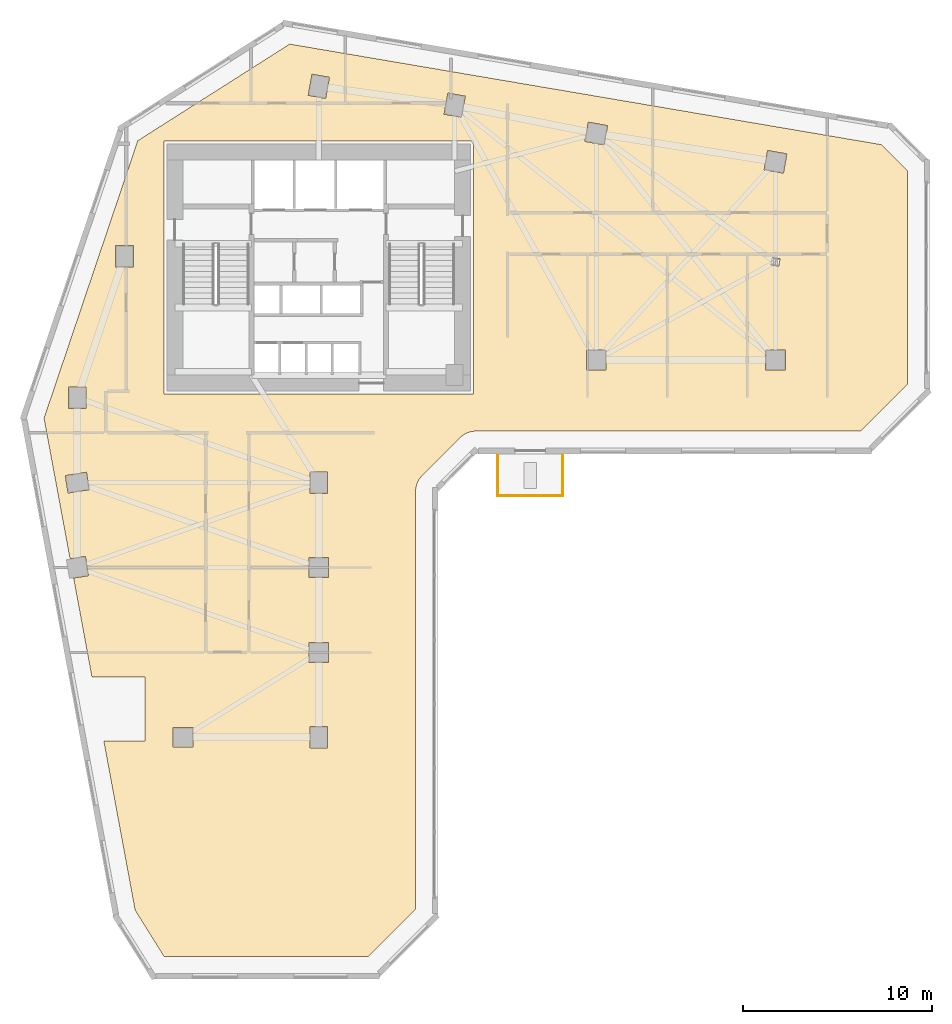
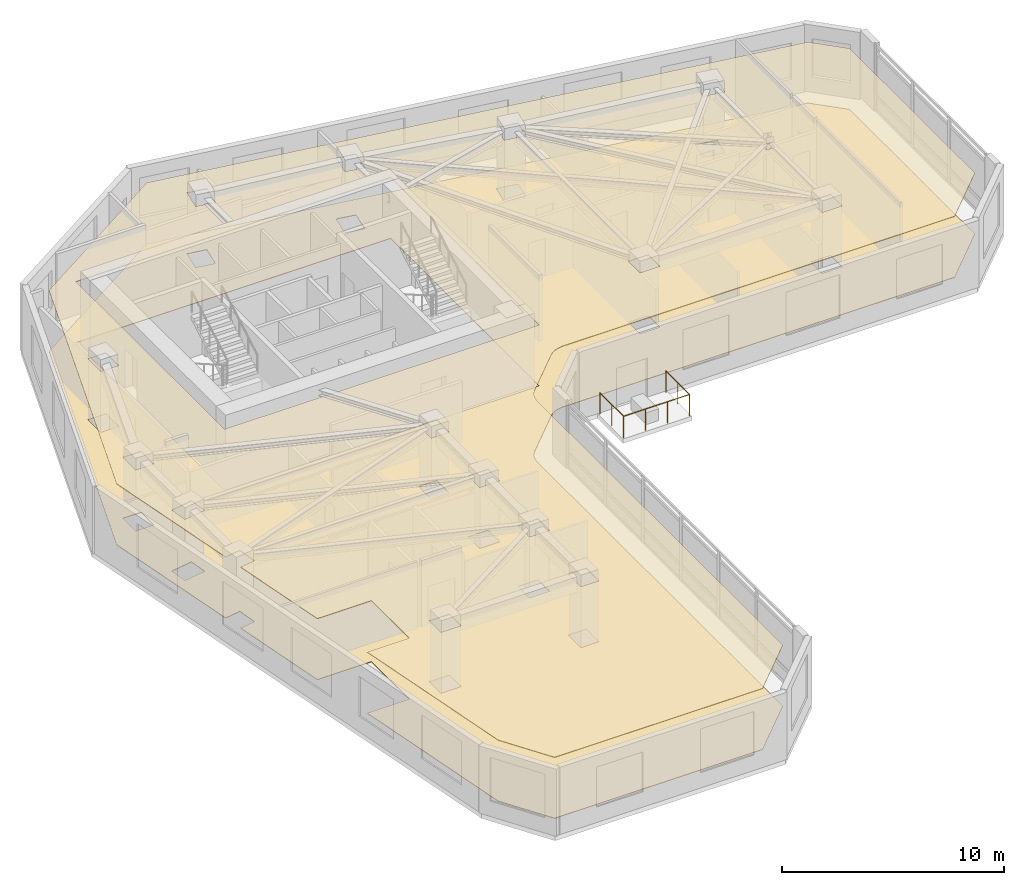
# One storey, part 9 of 10: 3 railings, 2 coverings.
"""IFC4 building model written with IfcOpenShell, lengths in metres."""

from ifc_helpers import new_model, si_unit, direction, frame, origin, origin_2d, place, context, subcontext, project, spatial, polyline, circle, outline, extrude, material, layer, layer_set, type_object, element, save


model = new_model("IFC4")

# Units and contexts
model_context = context("Model", 3, precision=1e-05, world=origin(), true_north=direction((0.0, 1.0)))
body_context = subcontext(model_context, "Body", "Model", "MODEL_VIEW")
ifc_project = project(units=[si_unit("LENGTHUNIT", "METRE"), si_unit("AREAUNIT", "SQUARE_METRE"), si_unit("VOLUMEUNIT", "CUBIC_METRE"), si_unit("PLANEANGLEUNIT", "RADIAN"), si_unit("MASSUNIT", "GRAM", prefix="KILO")], contexts=[model_context])

# Site, building, storey
site_placement = place(None, origin())
site = spatial("IfcSite", under=ifc_project, at=site_placement, CompositionType="ELEMENT")
building_placement = place(site_placement, origin())
building = spatial("IfcBuilding", under=site, at=building_placement, Name="Calvemar Wedge Station Tower", CompositionType="ELEMENT")
storey_placement = place(building_placement, frame((0.0, 0.0, 95.0)))
storey = spatial("IfcBuildingStorey", under=building, at=storey_placement, Name="L23", CompositionType="ELEMENT", Elevation=95.0)

# Coverings
ifc_material_1 = material(Name="Acoustic mineral fibre ceiling board")
ifc_layer_1 = layer(ifc_material_1, 0.0400390625)
ifc_layer_set_1 = layer_set([ifc_layer_1], Name="Acoustic mineral fibre ceiling board")
covering_type_1 = type_object("IfcCoveringType", Name="COV-CEIL-ACOUSTIC", PredefinedType="CEILING", material=ifc_layer_set_1)
covering_1_placement = place(storey_placement, frame((0.0, 0.0, 3.35009765625)))
element("IfcCovering", 1, at=covering_1_placement, inside=storey, type_object=covering_type_1, Name="Storey L23 Acoustic Suspended Ceiling", PredefinedType="CEILING", context=body_context, shape_type="SweptSolid", body=[
    extrude(outline(polyline([(29.279541015625, 28.87646484375), (31.279541015625, 30.87646484375), (31.36669921875, 30.95556640625), (31.461181640625, 31.02587890625), (31.562255859375, 31.086181640625), (31.668701171875, 31.13671875), (31.77978515625, 31.17626953125), (31.893798828125, 31.204833984375), (32.010498046875, 31.22216796875), (32.1279296875, 31.22802734375), (52.5029296875, 31.22802734375), (55.0, 33.72509765625), (55.0, 45.031005859375), (53.621826171875, 46.408935546875), (22.25439453125, 51.739501953125), (14.201416015625, 46.614990234375), (9.23681640625, 31.911865234375), (10.6162109375, 24.465087890625), (11.43115234375, 24.595703125), (11.595703125, 23.56884765625), (10.805908203125, 23.4423828125), (11.777099609375, 18.199951171875), (14.60009765625, 18.199951171875), (14.60009765625, 14.800048828125), (12.406982421875, 14.800048828125), (14.06640625, 5.8427734375), (15.593017578125, 3.39990234375), (26.430908203125, 3.39990234375), (28.927978515625, 5.897216796875), (28.927978515625, 28.028076171875), (28.933837890625, 28.1455078125), (28.951171875, 28.26220703125), (28.979736328125, 28.376220703125), (29.019287109375, 28.4873046875), (29.069580078125, 28.59375), (29.130126953125, 28.694580078125), (29.200439453125, 28.789306640625), (29.279541015625, 28.87646484375)]), holes=[polyline([(15.60009765625, 46.60009765625), (32.0, 46.60009765625), (32.0, 33.199951171875), (15.60009765625, 33.199951171875), (15.60009765625, 46.60009765625)]), polyline([(10.530029296875, 32.429931640625), (10.530029296875, 33.570068359375), (11.469970703125, 33.570068359375), (11.469970703125, 32.429931640625), (10.530029296875, 32.429931640625)]), polyline([(13.030029296875, 41.070068359375), (13.969970703125, 41.070068359375), (13.969970703125, 39.929931640625), (13.030029296875, 39.929931640625), (13.030029296875, 41.070068359375)]), polyline([(24.363525390625, 49.977783203125), (24.16162109375, 48.855712890625), (23.236572265625, 49.022216796875), (23.4384765625, 50.144287109375), (24.363525390625, 49.977783203125)]), polyline([(31.361572265625, 47.855712890625), (30.4365234375, 48.022216796875), (30.638427734375, 49.144287109375), (31.5634765625, 48.977783203125), (31.361572265625, 47.855712890625)]), polyline([(37.89599609375, 46.580322265625), (38.080322265625, 47.60400390625), (39.10400390625, 47.419677734375), (38.919677734375, 46.39599609375), (37.89599609375, 46.580322265625)]), polyline([(47.580322265625, 46.10400390625), (48.60400390625, 45.919677734375), (48.419677734375, 44.89599609375), (47.39599609375, 45.080322265625), (47.580322265625, 46.10400390625)]), polyline([(39.02001953125, 35.52001953125), (39.02001953125, 34.47998046875), (37.97998046875, 34.47998046875), (37.97998046875, 35.52001953125), (39.02001953125, 35.52001953125)]), polyline([(48.52001953125, 34.47998046875), (47.47998046875, 34.47998046875), (47.47998046875, 35.52001953125), (48.52001953125, 35.52001953125), (48.52001953125, 34.47998046875)]), polyline([(47.759765625, 40.033935546875), (47.832763671875, 40.439453125), (48.240234375, 40.3662109375), (48.167236328125, 39.960693359375), (47.759765625, 40.033935546875)]), polyline([(11.488525390625, 29.05419921875), (11.63720703125, 28.126220703125), (10.511474609375, 27.94580078125), (10.36279296875, 28.873779296875), (11.488525390625, 29.05419921875)]), polyline([(24.27001953125, 27.929931640625), (23.330078125, 27.929931640625), (23.330078125, 29.070068359375), (24.27001953125, 29.070068359375), (24.27001953125, 27.929931640625)]), polyline([(23.280029296875, 23.47998046875), (23.280029296875, 24.52001953125), (24.320068359375, 24.52001953125), (24.320068359375, 23.47998046875), (23.280029296875, 23.47998046875)]), polyline([(23.280029296875, 20.02001953125), (24.320068359375, 20.02001953125), (24.320068359375, 18.97998046875), (23.280029296875, 18.97998046875), (23.280029296875, 20.02001953125)]), polyline([(24.27001953125, 15.570068359375), (24.27001953125, 14.429931640625), (23.330078125, 14.429931640625), (23.330078125, 15.570068359375), (24.27001953125, 15.570068359375)]), polyline([(17.1201171875, 14.47998046875), (16.080078125, 14.47998046875), (16.080078125, 15.52001953125), (17.1201171875, 15.52001953125), (17.1201171875, 14.47998046875)])]), origin(), (0.0, 0.0, 1.0), 0.039794921875),
])
ifc_material_2 = material(Name="Commercial raised access floor")
ifc_layer_2 = layer(ifc_material_2, 0.030029296875)
ifc_layer_set_2 = layer_set([ifc_layer_2], Name="Commercial raised access floor")
covering_type_2 = type_object("IfcCoveringType", Name="COV-FLR-RAISED", PredefinedType="FLOORING", material=ifc_layer_set_2)
covering_2_placement = place(storey_placement, origin())
element("IfcCovering", 2, at=covering_2_placement, inside=storey, type_object=covering_type_2, Name="Storey L23 Architectural Floor Finish", PredefinedType="FLOORING", context=body_context, shape_type="SweptSolid", body=[
    extrude(outline(polyline([(29.279541015625, 28.87646484375), (31.279541015625, 30.87646484375), (31.36669921875, 30.95556640625), (31.461181640625, 31.02587890625), (31.562255859375, 31.086181640625), (31.668701171875, 31.13671875), (31.77978515625, 31.17626953125), (31.893798828125, 31.204833984375), (32.010498046875, 31.22216796875), (32.1279296875, 31.22802734375), (52.5029296875, 31.22802734375), (55.0, 33.72509765625), (55.0, 45.031005859375), (53.621826171875, 46.408935546875), (22.25439453125, 51.739501953125), (14.201416015625, 46.614990234375), (9.23681640625, 31.911865234375), (10.6162109375, 24.465087890625), (11.43115234375, 24.595703125), (11.595703125, 23.56884765625), (10.805908203125, 23.4423828125), (11.777099609375, 18.199951171875), (14.60009765625, 18.199951171875), (14.60009765625, 14.800048828125), (12.406982421875, 14.800048828125), (14.06640625, 5.8427734375), (15.593017578125, 3.39990234375), (26.430908203125, 3.39990234375), (28.927978515625, 5.897216796875), (28.927978515625, 28.028076171875), (28.933837890625, 28.1455078125), (28.951171875, 28.26220703125), (28.979736328125, 28.376220703125), (29.019287109375, 28.4873046875), (29.069580078125, 28.59375), (29.130126953125, 28.694580078125), (29.200439453125, 28.789306640625), (29.279541015625, 28.87646484375)]), holes=[polyline([(15.60009765625, 46.60009765625), (32.0, 46.60009765625), (32.0, 33.199951171875), (15.60009765625, 33.199951171875), (15.60009765625, 46.60009765625)]), polyline([(10.530029296875, 32.429931640625), (10.530029296875, 33.570068359375), (11.469970703125, 33.570068359375), (11.469970703125, 32.429931640625), (10.530029296875, 32.429931640625)]), polyline([(13.030029296875, 41.070068359375), (13.969970703125, 41.070068359375), (13.969970703125, 39.929931640625), (13.030029296875, 39.929931640625), (13.030029296875, 41.070068359375)]), polyline([(24.363525390625, 49.977783203125), (24.16162109375, 48.855712890625), (23.236572265625, 49.022216796875), (23.4384765625, 50.144287109375), (24.363525390625, 49.977783203125)]), polyline([(31.361572265625, 47.855712890625), (30.4365234375, 48.022216796875), (30.638427734375, 49.144287109375), (31.5634765625, 48.977783203125), (31.361572265625, 47.855712890625)]), polyline([(37.89599609375, 46.580322265625), (38.080322265625, 47.60400390625), (39.10400390625, 47.419677734375), (38.919677734375, 46.39599609375), (37.89599609375, 46.580322265625)]), polyline([(47.580322265625, 46.10400390625), (48.60400390625, 45.919677734375), (48.419677734375, 44.89599609375), (47.39599609375, 45.080322265625), (47.580322265625, 46.10400390625)]), polyline([(39.02001953125, 35.52001953125), (39.02001953125, 34.47998046875), (37.97998046875, 34.47998046875), (37.97998046875, 35.52001953125), (39.02001953125, 35.52001953125)]), polyline([(48.52001953125, 34.47998046875), (47.47998046875, 34.47998046875), (47.47998046875, 35.52001953125), (48.52001953125, 35.52001953125), (48.52001953125, 34.47998046875)]), polyline([(47.759765625, 40.033935546875), (47.832763671875, 40.439453125), (48.240234375, 40.3662109375), (48.167236328125, 39.960693359375), (47.759765625, 40.033935546875)]), polyline([(11.488525390625, 29.05419921875), (11.63720703125, 28.126220703125), (10.511474609375, 27.94580078125), (10.36279296875, 28.873779296875), (11.488525390625, 29.05419921875)]), polyline([(24.27001953125, 27.929931640625), (23.330078125, 27.929931640625), (23.330078125, 29.070068359375), (24.27001953125, 29.070068359375), (24.27001953125, 27.929931640625)]), polyline([(23.280029296875, 23.47998046875), (23.280029296875, 24.52001953125), (24.320068359375, 24.52001953125), (24.320068359375, 23.47998046875), (23.280029296875, 23.47998046875)]), polyline([(23.280029296875, 20.02001953125), (24.320068359375, 20.02001953125), (24.320068359375, 18.97998046875), (23.280029296875, 18.97998046875), (23.280029296875, 20.02001953125)]), polyline([(24.27001953125, 15.570068359375), (24.27001953125, 14.429931640625), (23.330078125, 14.429931640625), (23.330078125, 15.570068359375), (24.27001953125, 15.570068359375)]), polyline([(17.1201171875, 14.47998046875), (16.080078125, 14.47998046875), (16.080078125, 15.52001953125), (17.1201171875, 15.52001953125), (17.1201171875, 14.47998046875)])]), origin(), (0.0, 0.0, 1.0), 0.030029296875),
])

# Railings
ifc_material_3 = material(Name="Stainless steel AISI 316L", Category="steel")
railing_type = type_object("IfcRailingType", Name="GRD-TERR-1200", PredefinedType="GUARDRAIL", material=ifc_material_3)
railing_1_placement = place(storey_placement, frame((36.719970703125, 29.947998046875, 0.0)))
element("IfcRailing", 3, at=railing_1_placement, inside=storey, type_object=railing_type, Name="Storey L23 Spiral Terrace Guard 2", PredefinedType="GUARDRAIL", context=body_context, shape_type="SweptSolid", body=[
    extrude(circle(Radius=0.02392578125, at=origin_2d()), frame((0.0, 0.0, 1.17578125), z_axis=(0.0, -1.0, 0.0), x_axis=(1.0, 0.0, 0.0)), (0.0, 0.0, 1.0), 2.139892578125),
    extrude(circle(Radius=0.02099609375, at=origin_2d()), origin(), (0.0, 0.0, 1.0), 1.15185546875),
    extrude(circle(Radius=0.02099609375, at=origin_2d()), frame((0.0, -1.06982421875, 0.0)), (0.0, 0.0, 1.0), 1.15185546875),
    extrude(circle(Radius=0.02099609375, at=origin_2d()), frame((0.0, -2.139892578125, 0.0)), (0.0, 0.0, 1.0), 1.15185546875),
])
railing_2_placement = place(storey_placement, frame((36.719970703125, 27.80810546875, 0.0)))
element("IfcRailing", 4, at=railing_2_placement, inside=storey, type_object=railing_type, Name="Storey L23 Spiral Terrace Guard 3", PredefinedType="GUARDRAIL", context=body_context, shape_type="SweptSolid", body=[
    extrude(circle(Radius=0.02392578125, at=origin_2d()), frame((0.0, 0.0, 1.17578125), z_axis=(-1.0, 0.0, 0.0), x_axis=(0.0, -1.0, 0.0)), (0.0, 0.0, 1.0), 3.43994140625),
    extrude(circle(Radius=0.02099609375, at=origin_2d()), origin(), (0.0, 0.0, 1.0), 1.15185546875),
    extrude(circle(Radius=0.02099609375, at=origin_2d()), frame((-1.146728515625, 0.0, 0.0)), (0.0, 0.0, 1.0), 1.15185546875),
    extrude(circle(Radius=0.02099609375, at=origin_2d()), frame((-2.293212890625, 0.0, 0.0)), (0.0, 0.0, 1.0), 1.15185546875),
    extrude(circle(Radius=0.02099609375, at=origin_2d()), frame((-3.43994140625, 0.0, 0.0)), (0.0, 0.0, 1.0), 1.15185546875),
])
railing_3_placement = place(storey_placement, frame((33.280029296875, 27.80810546875, 0.0)))
element("IfcRailing", 5, at=railing_3_placement, inside=storey, type_object=railing_type, Name="Storey L23 Spiral Terrace Guard 4", PredefinedType="GUARDRAIL", context=body_context, shape_type="SweptSolid", body=[
    extrude(circle(Radius=0.02392578125, at=origin_2d()), frame((0.0, 0.0, 1.17578125), z_axis=(0.0, 1.0, 0.0), x_axis=(-1.0, 0.0, 0.0)), (0.0, 0.0, 1.0), 2.139892578125),
    extrude(circle(Radius=0.02099609375, at=origin_2d()), origin(), (0.0, 0.0, 1.0), 1.15185546875),
    extrude(circle(Radius=0.02099609375, at=origin_2d()), frame((0.0, 1.06982421875, 0.0)), (0.0, 0.0, 1.0), 1.15185546875),
    extrude(circle(Radius=0.02099609375, at=origin_2d()), frame((0.0, 2.139892578125, 0.0)), (0.0, 0.0, 1.0), 1.15185546875),
])

save(model, "model.ifc")
